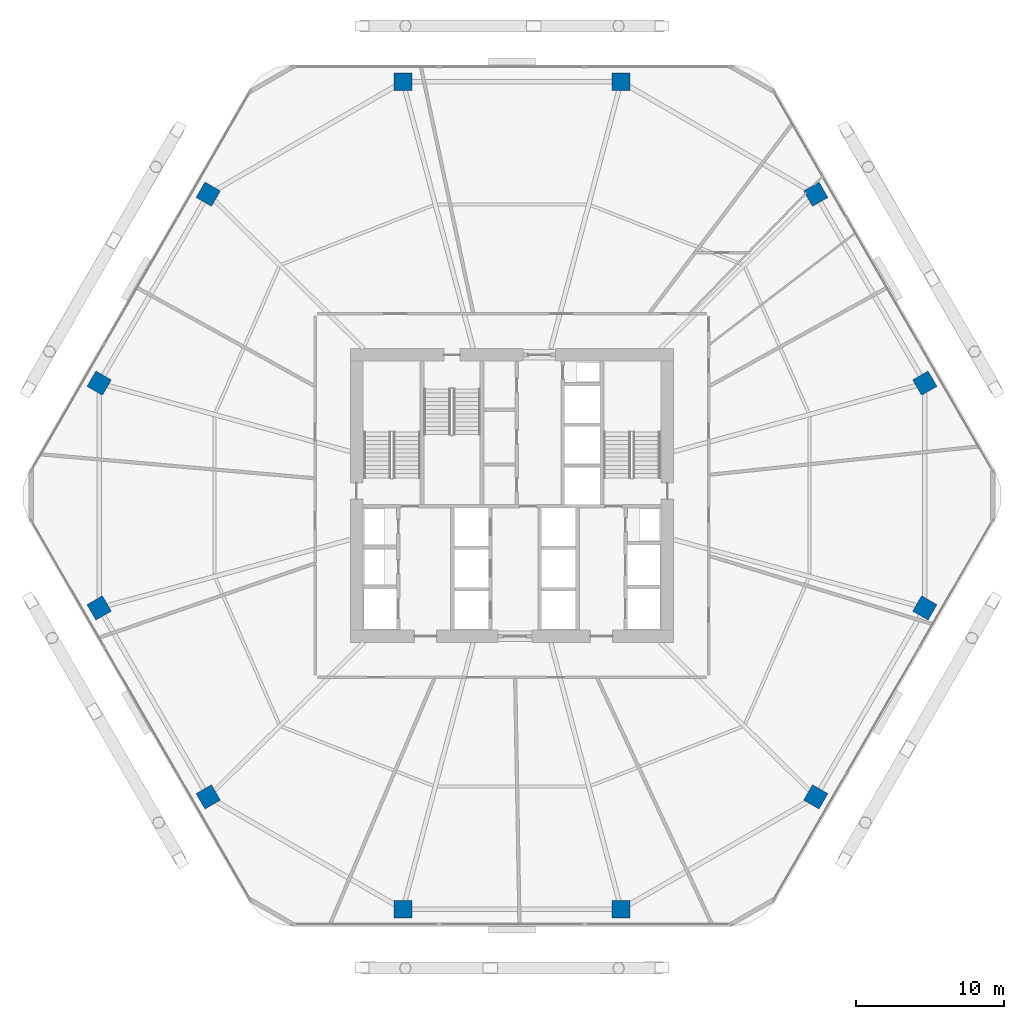
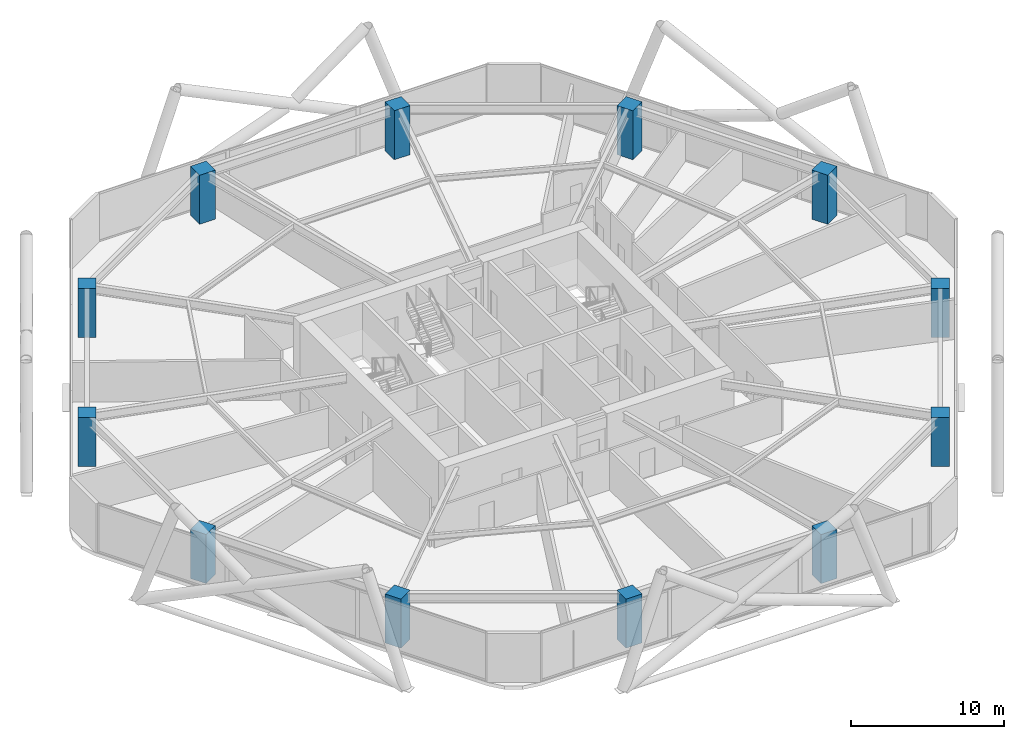
# One storey, part 1 of 30: 12 columns.
"""IFC4 building model written with IfcOpenShell, lengths in metres."""

from ifc_helpers import new_model, si_unit, direction, frame, origin, origin_2d, place, context, subcontext, project, spatial, rectangle, extrude, material, material_profile, profile_set, type_object, element, save


model = new_model("IFC4")

# Units and contexts
model_context = context("Model", 3, precision=1e-05, world=origin(), true_north=direction((0.0, 1.0)))
body_context = subcontext(model_context, "Body", "Model", "MODEL_VIEW")
ifc_project = project(units=[si_unit("LENGTHUNIT", "METRE"), si_unit("AREAUNIT", "SQUARE_METRE"), si_unit("VOLUMEUNIT", "CUBIC_METRE"), si_unit("PLANEANGLEUNIT", "RADIAN"), si_unit("MASSUNIT", "GRAM", prefix="KILO")], contexts=[model_context])

# Site, building, storey
site_placement = place(None, origin())
site = spatial("IfcSite", under=ifc_project, at=site_placement, CompositionType="ELEMENT")
building_placement = place(site_placement, origin())
building = spatial("IfcBuilding", under=site, at=building_placement, Name="Zuhravey Tower", CompositionType="ELEMENT")
storey_placement = place(building_placement, frame((0.0, 0.0, 58.199951171875)))
storey = spatial("IfcBuildingStorey", under=building, at=storey_placement, Name="L14", CompositionType="ELEMENT", Elevation=58.199951171875)

# Columns
ifc_material = material(Name="Concrete C60/75", Category="concrete")
ifc_material_profile = material_profile(ifc_material, rectangle(XDim=1.199951171875, YDim=1.199951171875, at=origin_2d()), Name="RC-1200x1200")
ifc_profile_set = profile_set([ifc_material_profile], Name="Concrete C60/75")
column_type = type_object("IfcColumnType", Name="Zone 1 Perimeter Column 1200x1200", PredefinedType="COLUMN", material=ifc_profile_set)
for number, where, z_axis, x_axis, name in (
    (1, (63.88916015625, 39.591552734375, 0.0), (0.0, 0.0, 1.0), (-0.5, 0.866025403784, 0.0), "L14 Perimeter Column PC01"),
    (2, (56.51904296875, 52.35693359375, 0.0), (0.0, 0.0, 1.0), (-0.5, 0.866025403784, 0.0), "L14 Perimeter Column PC02"),
    (3, (43.3701171875, 59.948486328125, 0.0), (0.0, 0.0, 1.0), (-1.0, 0.0, 0.0), "L14 Perimeter Column PC03"),
    (4, (28.6298828125, 59.948486328125, 0.0), (0.0, 0.0, 1.0), (-1.0, 0.0, 0.0), "L14 Perimeter Column PC04"),
    (5, (15.48095703125, 52.35693359375, 0.0), (0.0, 0.0, 1.0), (-0.5, -0.866025403784, 0.0), "L14 Perimeter Column PC05"),
    (6, (8.11083984375, 39.591552734375, 0.0), (0.0, 0.0, 1.0), (-0.5, -0.866025403784, 0.0), "L14 Perimeter Column PC06"),
    (7, (8.11083984375, 24.408447265625, 0.0), (0.0, 0.0, 1.0), (0.5, -0.866025403784, 0.0), "L14 Perimeter Column PC07"),
    (8, (15.48095703125, 11.64306640625, 0.0), (0.0, 0.0, 1.0), (0.5, -0.866025403784, 0.0), "L14 Perimeter Column PC08"),
    (9, (28.6298828125, 4.051513671875, 0.0), (0.0, 0.0, 1.0), (1.0, 0.0, 0.0), "L14 Perimeter Column PC09"),
    (10, (43.3701171875, 4.051513671875, 0.0), (0.0, 0.0, 1.0), (1.0, 0.0, 0.0), "L14 Perimeter Column PC10"),
    (11, (56.51904296875, 11.64306640625, 0.0), (0.0, 0.0, 1.0), (0.5, 0.866025403784, 0.0), "L14 Perimeter Column PC11"),
    (12, (63.88916015625, 24.408447265625, 0.0), (0.0, 0.0, 1.0), (0.5, 0.866025403784, 0.0), "L14 Perimeter Column PC12"),
):
    element("IfcColumn", number, at=place(storey_placement, frame(where, z_axis=z_axis, x_axis=x_axis)), inside=storey, type_object=column_type, Name=name, PredefinedType="COLUMN", context=body_context, shape_type="SweptSolid", body=[
        extrude(rectangle(XDim=1.199951171875, YDim=1.199951171875, at=origin_2d()), origin(), (0.0, 0.0, 1.0), 3.920166015625),
    ])

save(model, "model.ifc")
